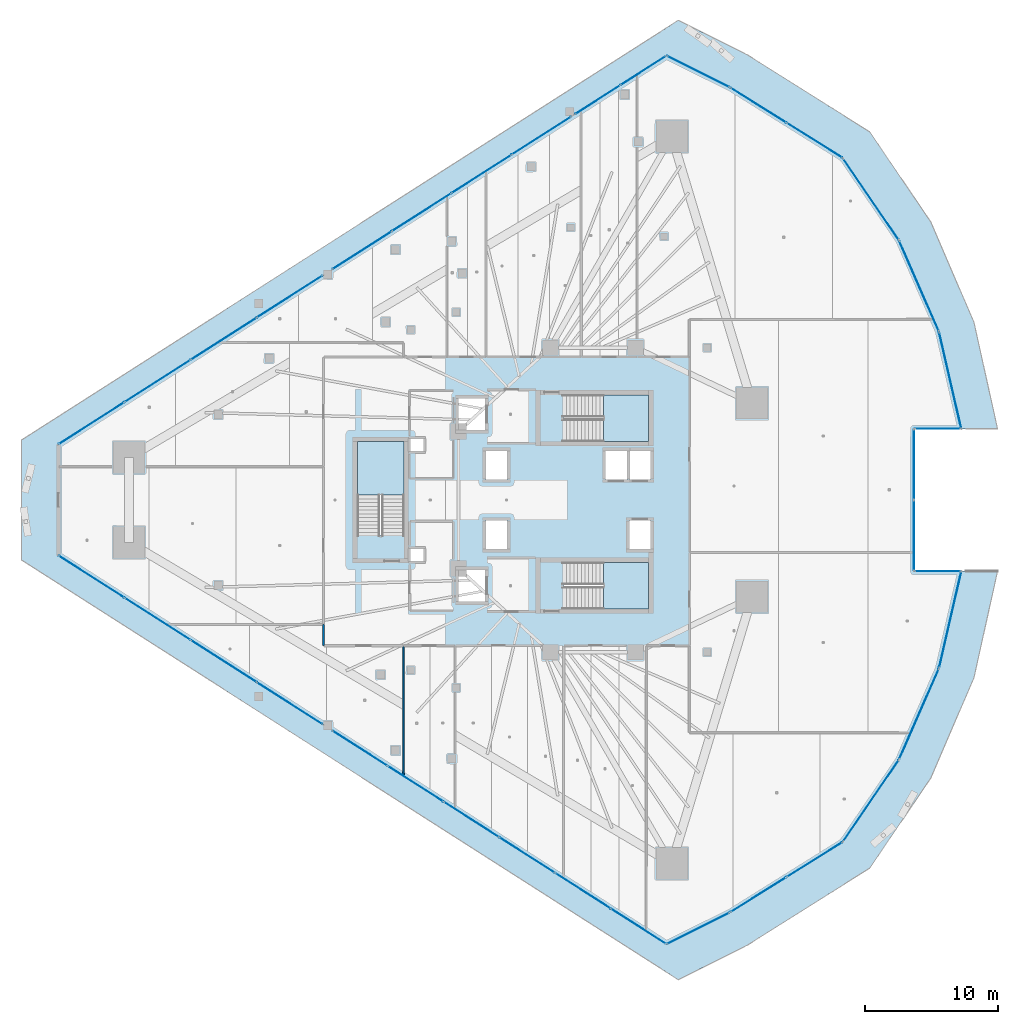
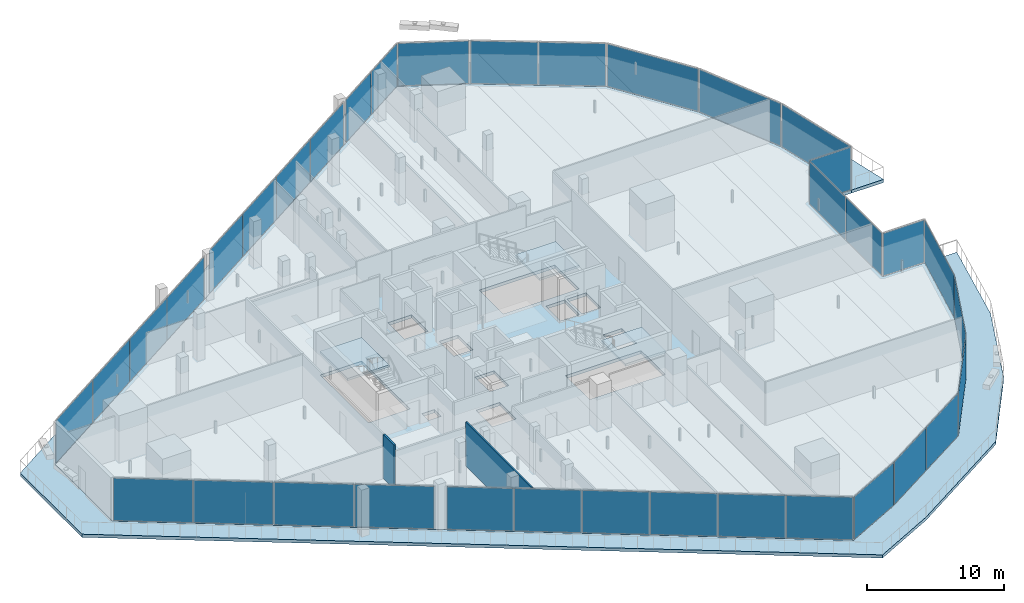
# One storey, part 27 of 44: 36 plates, 5 slabs, 2 walls, 21 elements without a shape of their own.
"""IFC4 building model written with IfcOpenShell, lengths in metres."""

from ifc_helpers import new_model, si_unit, direction, frame, frame_2d, origin, origin_2d, place, context, subcontext, project, spatial, polyline, rectangle, outline, extrude, material, layer, layer_set, type_object, element, aggregate, save


model = new_model("IFC4")

# Units and contexts
model_context = context("Model", 3, precision=1e-05, world=origin(), true_north=direction((0.0, 1.0)))
body_context = subcontext(model_context, "Body", "Model", "MODEL_VIEW")
ifc_project = project(units=[si_unit("LENGTHUNIT", "METRE"), si_unit("AREAUNIT", "SQUARE_METRE"), si_unit("VOLUMEUNIT", "CUBIC_METRE"), si_unit("PLANEANGLEUNIT", "RADIAN"), si_unit("MASSUNIT", "GRAM", prefix="KILO")], contexts=[model_context])

# Site, building, storey
site_placement = place(None, origin())
site = spatial("IfcSite", under=ifc_project, at=site_placement, CompositionType="ELEMENT")
building_placement = place(site_placement, origin())
building = spatial("IfcBuilding", under=site, at=building_placement, Name="Qorvath Tower", CompositionType="ELEMENT")
storey_placement = place(building_placement, frame((0.0, 0.0, 45.0)))
storey = spatial("IfcBuildingStorey", under=building, at=storey_placement, Name="L09", CompositionType="ELEMENT", Elevation=45.0)

# Curtain wall, plates
ifc_material_1 = material(Name="Anodised aluminium and triple low-E glass", Category="aluminium")
ifc_layer_1 = layer(ifc_material_1, 0.179931640625)
ifc_layer_set_1 = layer_set([ifc_layer_1], Name="CW-SYS-2")
curtain_wall_type = type_object("IfcCurtainWallType", Name="CW-SYS-2", PredefinedType="NOTDEFINED", material=ifc_layer_set_1)
curtain_wall_1_placement = place(storey_placement, origin())
curtain_wall_1 = element("IfcCurtainWall", 1, at=curtain_wall_1_placement, inside=storey, type_object=curtain_wall_type, Name="Curtain Wall CW-2 CW-T-L09-2.1", PredefinedType="NOTDEFINED")
ifc_material_2 = material(Name="Low-E triple insulated glass", Category="glass")
ifc_layer_2 = layer(ifc_material_2, 0.031982421875)
ifc_layer_set_2 = layer_set([ifc_layer_2], Name="CWP-GLZ-32")
plate_type = type_object("IfcPlateType", Name="CWP-GLZ-32", PredefinedType="CURTAIN_PANEL", material=ifc_layer_set_2)
plate_1_placement = place(storey_placement, frame((-58.10009765625, -5.7744140625, 0.06494140625), z_axis=(0.0, 0.0, 1.0), x_axis=(0.842605152044, -0.538531853978, 0.0)))
plate_1 = element("IfcPlate", 2, at=plate_1_placement, type_object=plate_type, Name="CW-2 panel 1.1", PredefinedType="CURTAIN_PANEL", context=body_context, shape_type="SweptSolid", body=[
    extrude(rectangle(XDim=5.806396484375, YDim=0.031982421875, at=origin_2d()), origin(), (0.0, 0.0, 1.0), 3.789794921875),
])
plate_2_placement = place(storey_placement, frame((-53.13916015625, -8.945068359375, 0.06494140625), z_axis=(0.0, 0.0, 1.0), x_axis=(0.842605152044, -0.538531853978, 0.0)))
plate_2 = element("IfcPlate", 3, at=plate_2_placement, type_object=plate_type, Name="CW-2 panel 2.1", PredefinedType="CURTAIN_PANEL", context=body_context, shape_type="SweptSolid", body=[
    extrude(rectangle(XDim=5.8388671875, YDim=0.031982421875, at=origin_2d()), origin(), (0.0, 0.0, 1.0), 3.789794921875),
])
plate_3_placement = place(storey_placement, frame((-48.164306640625, -12.12451171875, 0.06494140625), z_axis=(0.0, 0.0, 1.0), x_axis=(0.842605152044, -0.538531853978, 0.0)))
plate_3 = element("IfcPlate", 4, at=plate_3_placement, type_object=plate_type, Name="CW-2 panel 3.1", PredefinedType="CURTAIN_PANEL", context=body_context, shape_type="SweptSolid", body=[
    extrude(rectangle(XDim=5.8388671875, YDim=0.031982421875, at=origin_2d()), origin(), (0.0, 0.0, 1.0), 3.789794921875),
])
plate_4_placement = place(storey_placement, frame((-43.203369140625, -15.29541015625, 0.06494140625), z_axis=(0.0, 0.0, 1.0), x_axis=(0.842605152044, -0.538531853978, 0.0)))
plate_4 = element("IfcPlate", 5, at=plate_4_placement, type_object=plate_type, Name="CW-2 panel 4.1", PredefinedType="CURTAIN_PANEL", context=body_context, shape_type="SweptSolid", body=[
    extrude(rectangle(XDim=5.806396484375, YDim=0.031982421875, at=origin_2d()), origin(), (0.0, 0.0, 1.0), 3.789794921875),
])
aggregate(curtain_wall_1, [plate_1, plate_2, plate_3, plate_4])

curtain_wall_2_placement = place(storey_placement, origin())
curtain_wall_2 = element("IfcCurtainWall", 6, at=curtain_wall_2_placement, inside=storey, type_object=curtain_wall_type, Name="Curtain Wall CW-2 CW-T-L09-2.2", PredefinedType="NOTDEFINED")
plate_5_placement = place(storey_placement, frame((-37.916015625, -18.674560546875, 0.06494140625), z_axis=(0.0, 0.0, 1.0), x_axis=(0.842602136698, -0.538536571861, 0.0)))
plate_5 = element("IfcPlate", 7, at=plate_5_placement, type_object=plate_type, Name="CW-2 panel 1.1", PredefinedType="CURTAIN_PANEL", context=body_context, shape_type="SweptSolid", body=[
    extrude(rectangle(XDim=4.879638671875, YDim=0.031982421875, at=origin_2d()), origin(), (0.0, 0.0, 1.0), 3.789794921875),
])
plate_6_placement = place(storey_placement, frame((-33.73583984375, -21.34619140625, 0.06494140625), z_axis=(0.0, 0.0, 1.0), x_axis=(0.842602136698, -0.538536571861, 0.0)))
plate_6 = element("IfcPlate", 8, at=plate_6_placement, type_object=plate_type, Name="CW-2 panel 2.1", PredefinedType="CURTAIN_PANEL", context=body_context, shape_type="SweptSolid", body=[
    extrude(rectangle(XDim=4.912109375, YDim=0.031982421875, at=origin_2d()), origin(), (0.0, 0.0, 1.0), 3.789794921875),
])
plate_7_placement = place(storey_placement, frame((-29.542236328125, -24.026611328125, 0.06494140625), z_axis=(0.0, 0.0, 1.0), x_axis=(0.842602136698, -0.538536571861, 0.0)))
plate_7 = element("IfcPlate", 9, at=plate_7_placement, type_object=plate_type, Name="CW-2 panel 3.1", PredefinedType="CURTAIN_PANEL", context=body_context, shape_type="SweptSolid", body=[
    extrude(rectangle(XDim=4.912109375, YDim=0.031982421875, at=origin_2d()), origin(), (0.0, 0.0, 1.0), 3.789794921875),
])
plate_8_placement = place(storey_placement, frame((-25.348388671875, -26.70703125, 0.06494140625), z_axis=(0.0, 0.0, 1.0), x_axis=(0.842602136698, -0.538536571861, 0.0)))
plate_8 = element("IfcPlate", 10, at=plate_8_placement, type_object=plate_type, Name="CW-2 panel 4.1", PredefinedType="CURTAIN_PANEL", context=body_context, shape_type="SweptSolid", body=[
    extrude(rectangle(XDim=4.912109375, YDim=0.031982421875, at=origin_2d()), origin(), (0.0, 0.0, 1.0), 3.789794921875),
])
plate_9_placement = place(storey_placement, frame((-21.154541015625, -29.387451171875, 0.06494140625), z_axis=(0.0, 0.0, 1.0), x_axis=(0.842602136698, -0.538536571861, 0.0)))
plate_9 = element("IfcPlate", 11, at=plate_9_placement, type_object=plate_type, Name="CW-2 panel 5.1", PredefinedType="CURTAIN_PANEL", context=body_context, shape_type="SweptSolid", body=[
    extrude(rectangle(XDim=4.912109375, YDim=0.031982421875, at=origin_2d()), origin(), (0.0, 0.0, 1.0), 3.789794921875),
])
plate_10_placement = place(storey_placement, frame((-16.974609375, -32.05908203125, 0.06494140625), z_axis=(0.0, 0.0, 1.0), x_axis=(0.842602136698, -0.538536571861, 0.0)))
plate_10 = element("IfcPlate", 12, at=plate_10_placement, type_object=plate_type, Name="CW-2 panel 6.1", PredefinedType="CURTAIN_PANEL", context=body_context, shape_type="SweptSolid", body=[
    extrude(rectangle(XDim=4.879638671875, YDim=0.031982421875, at=origin_2d()), origin(), (0.0, 0.0, 1.0), 3.789794921875),
])
aggregate(curtain_wall_2, [plate_5, plate_6, plate_7, plate_8, plate_9, plate_10])

# Curtain wall, plate
curtain_wall_3_placement = place(storey_placement, origin())
curtain_wall_3 = element("IfcCurtainWall", 13, at=curtain_wall_3_placement, inside=storey, type_object=curtain_wall_type, Name="Curtain Wall CW-2 CW-T-L09-3.1", PredefinedType="NOTDEFINED")
plate_11_placement = place(storey_placement, frame((-12.477783203125, -32.21484375, 0.06494140625), z_axis=(0.0, 0.0, 1.0), x_axis=(0.89440470044, 0.447258573792, 0.0)))
plate_11 = element("IfcPlate", 14, at=plate_11_placement, type_object=plate_type, Name="CW-2 panel 1.1", PredefinedType="CURTAIN_PANEL", context=body_context, shape_type="SweptSolid", body=[
    extrude(rectangle(XDim=5.205810546875, YDim=0.031982421875, at=origin_2d()), origin(), (0.0, 0.0, 1.0), 3.789794921875),
])
aggregate(curtain_wall_3, [plate_11])

# Curtain wall, plates
curtain_wall_4_placement = place(storey_placement, origin())
curtain_wall_4 = element("IfcCurtainWall", 15, at=curtain_wall_4_placement, inside=storey, type_object=curtain_wall_type, Name="Curtain Wall CW-2 CW-T-L09-4.1", PredefinedType="NOTDEFINED")
plate_12_placement = place(storey_placement, frame((-7.9560546875, -29.687744140625, 0.06494140625), z_axis=(0.0, 0.0, 1.0), x_axis=(0.848170054125, 0.529724040691, 0.0)))
plate_12 = element("IfcPlate", 16, at=plate_12_placement, type_object=plate_type, Name="CW-2 panel 1.1", PredefinedType="CURTAIN_PANEL", context=body_context, shape_type="SweptSolid", body=[
    extrude(rectangle(XDim=4.90576171875, YDim=0.031982421875, at=origin_2d()), origin(), (0.0, 0.0, 1.0), 3.789794921875),
])
plate_13_placement = place(storey_placement, frame((-3.73974609375, -27.054443359375, 0.06494140625), z_axis=(0.0, 0.0, 1.0), x_axis=(0.848170054125, 0.529724040691, 0.0)))
plate_13 = element("IfcPlate", 17, at=plate_13_placement, type_object=plate_type, Name="CW-2 panel 2.1", PredefinedType="CURTAIN_PANEL", context=body_context, shape_type="SweptSolid", body=[
    extrude(rectangle(XDim=4.90576171875, YDim=0.031982421875, at=origin_2d()), origin(), (0.0, 0.0, 1.0), 3.789794921875),
])
aggregate(curtain_wall_4, [plate_12, plate_13])

# Curtain wall, plate
curtain_wall_5_placement = place(storey_placement, origin())
curtain_wall_5 = element("IfcCurtainWall", 18, at=curtain_wall_5_placement, inside=storey, type_object=curtain_wall_type, Name="Curtain Wall CW-2 CW-T-L09-5.1", PredefinedType="NOTDEFINED")
plate_14_placement = place(storey_placement, frame((0.509521484375, -22.625, 0.06494140625), z_axis=(0.0, 0.0, 1.0), x_axis=(0.563891314535, 0.825849008834, 0.0)))
plate_14 = element("IfcPlate", 19, at=plate_14_placement, type_object=plate_type, Name="CW-2 panel 1.1", PredefinedType="CURTAIN_PANEL", context=body_context, shape_type="SweptSolid", body=[
    extrude(rectangle(XDim=7.366943359375, YDim=0.031982421875, at=origin_2d()), origin(), (0.0, 0.0, 1.0), 3.789794921875),
])
aggregate(curtain_wall_5, [plate_14])

curtain_wall_6_placement = place(storey_placement, origin())
curtain_wall_6 = element("IfcCurtainWall", 20, at=curtain_wall_6_placement, inside=storey, type_object=curtain_wall_type, Name="Curtain Wall CW-2 CW-T-L09-6.1", PredefinedType="NOTDEFINED")
plate_15_placement = place(storey_placement, frame((4.127197265625, -16.095703125, 0.06494140625), z_axis=(0.0, 0.0, 1.0), x_axis=(0.401177069819, 0.916000523281, 0.0)))
plate_15 = element("IfcPlate", 21, at=plate_15_placement, type_object=plate_type, Name="CW-2 panel 1.1", PredefinedType="CURTAIN_PANEL", context=body_context, shape_type="SweptSolid", body=[
    extrude(rectangle(XDim=7.366943359375, YDim=0.031982421875, at=origin_2d()), origin(), (0.0, 0.0, 1.0), 3.789794921875),
])
aggregate(curtain_wall_6, [plate_15])

curtain_wall_7_placement = place(storey_placement, origin())
curtain_wall_7 = element("IfcCurtainWall", 22, at=curtain_wall_7_placement, inside=storey, type_object=curtain_wall_type, Name="Curtain Wall CW-2 CW-T-L09-7.1", PredefinedType="NOTDEFINED")
plate_16_placement = place(storey_placement, frame((6.47265625, -9.009521484375, 0.06494140625), z_axis=(0.0, 0.0, 1.0), x_axis=(0.224535087188, 0.974466004857, 0.0)))
plate_16 = element("IfcPlate", 23, at=plate_16_placement, type_object=plate_type, Name="CW-2 panel 1.1", PredefinedType="CURTAIN_PANEL", context=body_context, shape_type="SweptSolid", body=[
    extrude(rectangle(XDim=7.366943359375, YDim=0.031982421875, at=origin_2d()), origin(), (0.0, 0.0, 1.0), 3.789794921875),
])
aggregate(curtain_wall_7, [plate_16])

curtain_wall_8_placement = place(storey_placement, origin())
curtain_wall_8 = element("IfcCurtainWall", 24, at=curtain_wall_8_placement, inside=storey, type_object=curtain_wall_type, Name="Curtain Wall CW-2 CW-T-L09-8.1", PredefinedType="NOTDEFINED")
plate_17_placement = place(storey_placement, frame((5.528564453125, -5.356689453125, 0.06494140625), z_axis=(0.0, 0.0, 1.0), x_axis=(-1.0, 0.0, 0.0)))
plate_17 = element("IfcPlate", 25, at=plate_17_placement, type_object=plate_type, Name="CW-2 panel 1.1", PredefinedType="CURTAIN_PANEL", context=body_context, shape_type="SweptSolid", body=[
    extrude(rectangle(XDim=3.44140625, YDim=0.031982421875, at=origin_2d()), origin(), (0.0, 0.0, 1.0), 3.789794921875),
])
aggregate(curtain_wall_8, [plate_17])

# Curtain wall, plates
curtain_wall_9_placement = place(storey_placement, origin())
curtain_wall_9 = element("IfcCurtainWall", 26, at=curtain_wall_9_placement, inside=storey, type_object=curtain_wall_type, Name="Curtain Wall CW-2 CW-T-L09-9.1", PredefinedType="NOTDEFINED")
plate_18_placement = place(storey_placement, frame((3.742919921875, -2.662109375, 0.06494140625), z_axis=(0.0, 0.0, 1.0), x_axis=(0.0, 1.0, 0.0)))
plate_18 = element("IfcPlate", 27, at=plate_18_placement, type_object=plate_type, Name="CW-2 panel 1.1", PredefinedType="CURTAIN_PANEL", context=body_context, shape_type="SweptSolid", body=[
    extrude(rectangle(XDim=5.25927734375, YDim=0.031982421875, at=origin_2d()), origin(), (0.0, 0.0, 1.0), 3.789794921875),
])
plate_19_placement = place(storey_placement, frame((3.742919921875, 2.662109375, 0.06494140625), z_axis=(0.0, 0.0, 1.0), x_axis=(0.0, 1.0, 0.0)))
plate_19 = element("IfcPlate", 28, at=plate_19_placement, type_object=plate_type, Name="CW-2 panel 2.1", PredefinedType="CURTAIN_PANEL", context=body_context, shape_type="SweptSolid", body=[
    extrude(rectangle(XDim=5.25927734375, YDim=0.031982421875, at=origin_2d()), origin(), (0.0, 0.0, 1.0), 3.789794921875),
])
aggregate(curtain_wall_9, [plate_18, plate_19])

# Curtain wall, plate
curtain_wall_10_placement = place(storey_placement, origin())
curtain_wall_10 = element("IfcCurtainWall", 29, at=curtain_wall_10_placement, inside=storey, type_object=curtain_wall_type, Name="Curtain Wall CW-2 CW-T-L09-10.1", PredefinedType="NOTDEFINED")
plate_20_placement = place(storey_placement, frame((5.528564453125, 5.356689453125, 0.06494140625), z_axis=(0.0, 0.0, 1.0), x_axis=(1.0, 0.0, 0.0)))
plate_20 = element("IfcPlate", 30, at=plate_20_placement, type_object=plate_type, Name="CW-2 panel 1.1", PredefinedType="CURTAIN_PANEL", context=body_context, shape_type="SweptSolid", body=[
    extrude(rectangle(XDim=3.44140625, YDim=0.031982421875, at=origin_2d()), origin(), (0.0, 0.0, 1.0), 3.789794921875),
])
aggregate(curtain_wall_10, [plate_20])

curtain_wall_11_placement = place(storey_placement, origin())
curtain_wall_11 = element("IfcCurtainWall", 31, at=curtain_wall_11_placement, inside=storey, type_object=curtain_wall_type, Name="Curtain Wall CW-2 CW-T-L09-11.1", PredefinedType="NOTDEFINED")
plate_21_placement = place(storey_placement, frame((6.47265625, 9.009521484375, 0.06494140625), z_axis=(0.0, 0.0, 1.0), x_axis=(-0.224535087188, 0.974466004857, 0.0)))
plate_21 = element("IfcPlate", 32, at=plate_21_placement, type_object=plate_type, Name="CW-2 panel 1.1", PredefinedType="CURTAIN_PANEL", context=body_context, shape_type="SweptSolid", body=[
    extrude(rectangle(XDim=7.366943359375, YDim=0.031982421875, at=origin_2d()), origin(), (0.0, 0.0, 1.0), 3.789794921875),
])
aggregate(curtain_wall_11, [plate_21])

curtain_wall_12_placement = place(storey_placement, origin())
curtain_wall_12 = element("IfcCurtainWall", 33, at=curtain_wall_12_placement, inside=storey, type_object=curtain_wall_type, Name="Curtain Wall CW-2 CW-T-L09-12.1", PredefinedType="NOTDEFINED")
plate_22_placement = place(storey_placement, frame((4.127197265625, 16.095703125, 0.06494140625), z_axis=(0.0, 0.0, 1.0), x_axis=(-0.401177069819, 0.916000523281, 0.0)))
plate_22 = element("IfcPlate", 34, at=plate_22_placement, type_object=plate_type, Name="CW-2 panel 1.1", PredefinedType="CURTAIN_PANEL", context=body_context, shape_type="SweptSolid", body=[
    extrude(rectangle(XDim=7.366943359375, YDim=0.031982421875, at=origin_2d()), origin(), (0.0, 0.0, 1.0), 3.789794921875),
])
aggregate(curtain_wall_12, [plate_22])

curtain_wall_13_placement = place(storey_placement, origin())
curtain_wall_13 = element("IfcCurtainWall", 35, at=curtain_wall_13_placement, inside=storey, type_object=curtain_wall_type, Name="Curtain Wall CW-2 CW-T-L09-13.1", PredefinedType="NOTDEFINED")
plate_23_placement = place(storey_placement, frame((0.509521484375, 22.625, 0.06494140625), z_axis=(0.0, 0.0, 1.0), x_axis=(-0.563891314535, 0.825849008834, 0.0)))
plate_23 = element("IfcPlate", 36, at=plate_23_placement, type_object=plate_type, Name="CW-2 panel 1.1", PredefinedType="CURTAIN_PANEL", context=body_context, shape_type="SweptSolid", body=[
    extrude(rectangle(XDim=7.366943359375, YDim=0.031982421875, at=origin_2d()), origin(), (0.0, 0.0, 1.0), 3.789794921875),
])
aggregate(curtain_wall_13, [plate_23])

# Curtain wall, plates
curtain_wall_14_placement = place(storey_placement, origin())
curtain_wall_14 = element("IfcCurtainWall", 37, at=curtain_wall_14_placement, inside=storey, type_object=curtain_wall_type, Name="Curtain Wall CW-2 CW-T-L09-14.1", PredefinedType="NOTDEFINED")
plate_24_placement = place(storey_placement, frame((-3.73974609375, 27.054443359375, 0.06494140625), z_axis=(0.0, 0.0, 1.0), x_axis=(-0.848170054125, 0.529724040691, 0.0)))
plate_24 = element("IfcPlate", 38, at=plate_24_placement, type_object=plate_type, Name="CW-2 panel 1.1", PredefinedType="CURTAIN_PANEL", context=body_context, shape_type="SweptSolid", body=[
    extrude(rectangle(XDim=4.90576171875, YDim=0.031982421875, at=origin_2d()), origin(), (0.0, 0.0, 1.0), 3.789794921875),
])
plate_25_placement = place(storey_placement, frame((-7.9560546875, 29.687744140625, 0.06494140625), z_axis=(0.0, 0.0, 1.0), x_axis=(-0.848170054125, 0.529724040691, 0.0)))
plate_25 = element("IfcPlate", 39, at=plate_25_placement, type_object=plate_type, Name="CW-2 panel 2.1", PredefinedType="CURTAIN_PANEL", context=body_context, shape_type="SweptSolid", body=[
    extrude(rectangle(XDim=4.90576171875, YDim=0.031982421875, at=origin_2d()), origin(), (0.0, 0.0, 1.0), 3.789794921875),
])
aggregate(curtain_wall_14, [plate_24, plate_25])

# Curtain wall, plate
curtain_wall_15_placement = place(storey_placement, origin())
curtain_wall_15 = element("IfcCurtainWall", 40, at=curtain_wall_15_placement, inside=storey, type_object=curtain_wall_type, Name="Curtain Wall CW-2 CW-T-L09-15.1", PredefinedType="NOTDEFINED")
plate_26_placement = place(storey_placement, frame((-12.477783203125, 32.21484375, 0.06494140625), z_axis=(0.0, 0.0, 1.0), x_axis=(-0.89440470044, 0.447258573792, 0.0)))
plate_26 = element("IfcPlate", 41, at=plate_26_placement, type_object=plate_type, Name="CW-2 panel 1.1", PredefinedType="CURTAIN_PANEL", context=body_context, shape_type="SweptSolid", body=[
    extrude(rectangle(XDim=5.205810546875, YDim=0.031982421875, at=origin_2d()), origin(), (0.0, 0.0, 1.0), 3.789794921875),
])
aggregate(curtain_wall_15, [plate_26])

# Curtain wall, plates
curtain_wall_16_placement = place(storey_placement, origin())
curtain_wall_16 = element("IfcCurtainWall", 42, at=curtain_wall_16_placement, inside=storey, type_object=curtain_wall_type, Name="Curtain Wall CW-2 CW-T-L09-16.1", PredefinedType="NOTDEFINED")
plate_27_placement = place(storey_placement, frame((-16.60205078125, 32.297119140625, 0.06494140625), z_axis=(0.0, 0.0, 1.0), x_axis=(-0.842604485719, -0.538532896531, 0.0)))
plate_27 = element("IfcPlate", 43, at=plate_27_placement, type_object=plate_type, Name="CW-2 panel 1.1", PredefinedType="CURTAIN_PANEL", context=body_context, shape_type="SweptSolid", body=[
    extrude(rectangle(XDim=3.995361328125, YDim=0.031982421875, at=origin_2d()), origin(), (0.0, 0.0, 1.0), 3.789794921875),
])
plate_28_placement = place(storey_placement, frame((-20.023193359375, 30.110595703125, 0.06494140625), z_axis=(0.0, 0.0, 1.0), x_axis=(-0.842604485719, -0.538532896531, 0.0)))
plate_28 = element("IfcPlate", 44, at=plate_28_placement, type_object=plate_type, Name="CW-2 panel 2.1", PredefinedType="CURTAIN_PANEL", context=body_context, shape_type="SweptSolid", body=[
    extrude(rectangle(XDim=3.995361328125, YDim=0.031982421875, at=origin_2d()), origin(), (0.0, 0.0, 1.0), 3.789794921875),
])
aggregate(curtain_wall_16, [plate_27, plate_28])

curtain_wall_17_placement = place(storey_placement, origin())
curtain_wall_17 = element("IfcCurtainWall", 45, at=curtain_wall_17_placement, inside=storey, type_object=curtain_wall_type, Name="Curtain Wall CW-2 CW-T-L09-16.2", PredefinedType="NOTDEFINED")
plate_29_placement = place(storey_placement, frame((-24.282958984375, 27.38818359375, 0.06494140625), z_axis=(0.0, 0.0, 1.0), x_axis=(-0.842599245537, -0.538541095387, 0.0)))
plate_29 = element("IfcPlate", 46, at=plate_29_placement, type_object=plate_type, Name="CW-2 panel 1.1", PredefinedType="CURTAIN_PANEL", context=body_context, shape_type="SweptSolid", body=[
    extrude(rectangle(XDim=5.24560546875, YDim=0.031982421875, at=origin_2d()), origin(), (0.0, 0.0, 1.0), 3.789794921875),
])
plate_30_placement = place(storey_placement, frame((-28.771240234375, 24.51953125, 0.06494140625), z_axis=(0.0, 0.0, 1.0), x_axis=(-0.842599245537, -0.538541095387, 0.0)))
plate_30 = element("IfcPlate", 47, at=plate_30_placement, type_object=plate_type, Name="CW-2 panel 2.1", PredefinedType="CURTAIN_PANEL", context=body_context, shape_type="SweptSolid", body=[
    extrude(rectangle(XDim=5.278076171875, YDim=0.031982421875, at=origin_2d()), origin(), (0.0, 0.0, 1.0), 3.789794921875),
])
plate_31_placement = place(storey_placement, frame((-33.2734375, 21.641845703125, 0.06494140625), z_axis=(0.0, 0.0, 1.0), x_axis=(-0.842599245537, -0.538541095387, 0.0)))
plate_31 = element("IfcPlate", 48, at=plate_31_placement, type_object=plate_type, Name="CW-2 panel 3.1", PredefinedType="CURTAIN_PANEL", context=body_context, shape_type="SweptSolid", body=[
    extrude(rectangle(XDim=5.278076171875, YDim=0.031982421875, at=origin_2d()), origin(), (0.0, 0.0, 1.0), 3.789794921875),
])
plate_32_placement = place(storey_placement, frame((-37.761962890625, 18.773193359375, 0.06494140625), z_axis=(0.0, 0.0, 1.0), x_axis=(-0.842599245537, -0.538541095387, 0.0)))
plate_32 = element("IfcPlate", 49, at=plate_32_placement, type_object=plate_type, Name="CW-2 panel 4.1", PredefinedType="CURTAIN_PANEL", context=body_context, shape_type="SweptSolid", body=[
    extrude(rectangle(XDim=5.24560546875, YDim=0.031982421875, at=origin_2d()), origin(), (0.0, 0.0, 1.0), 3.789794921875),
])
aggregate(curtain_wall_17, [plate_29, plate_30, plate_31, plate_32])

curtain_wall_18_placement = place(storey_placement, origin())
curtain_wall_18 = element("IfcCurtainWall", 50, at=curtain_wall_18_placement, inside=storey, type_object=curtain_wall_type, Name="Curtain Wall CW-2 CW-T-L09-16.3", PredefinedType="NOTDEFINED")
plate_33_placement = place(storey_placement, frame((-43.203369140625, 15.29541015625, 0.06494140625), z_axis=(0.0, 0.0, 1.0), x_axis=(-0.842605152044, -0.538531853978, 0.0)))
plate_33 = element("IfcPlate", 51, at=plate_33_placement, type_object=plate_type, Name="CW-2 panel 1.1", PredefinedType="CURTAIN_PANEL", context=body_context, shape_type="SweptSolid", body=[
    extrude(rectangle(XDim=5.806396484375, YDim=0.031982421875, at=origin_2d()), origin(), (0.0, 0.0, 1.0), 3.789794921875),
])
plate_34_placement = place(storey_placement, frame((-48.164306640625, 12.12451171875, 0.06494140625), z_axis=(0.0, 0.0, 1.0), x_axis=(-0.842605152044, -0.538531853978, 0.0)))
plate_34 = element("IfcPlate", 52, at=plate_34_placement, type_object=plate_type, Name="CW-2 panel 2.1", PredefinedType="CURTAIN_PANEL", context=body_context, shape_type="SweptSolid", body=[
    extrude(rectangle(XDim=5.8388671875, YDim=0.031982421875, at=origin_2d()), origin(), (0.0, 0.0, 1.0), 3.789794921875),
])
plate_35_placement = place(storey_placement, frame((-53.13916015625, 8.945068359375, 0.06494140625), z_axis=(0.0, 0.0, 1.0), x_axis=(-0.842605152044, -0.538531853978, 0.0)))
plate_35 = element("IfcPlate", 53, at=plate_35_placement, type_object=plate_type, Name="CW-2 panel 3.1", PredefinedType="CURTAIN_PANEL", context=body_context, shape_type="SweptSolid", body=[
    extrude(rectangle(XDim=5.8388671875, YDim=0.031982421875, at=origin_2d()), origin(), (0.0, 0.0, 1.0), 3.789794921875),
])
plate_36_placement = place(storey_placement, frame((-58.10009765625, 5.7744140625, 0.06494140625), z_axis=(0.0, 0.0, 1.0), x_axis=(-0.842605152044, -0.538531853978, 0.0)))
plate_36 = element("IfcPlate", 54, at=plate_36_placement, type_object=plate_type, Name="CW-2 panel 4.1", PredefinedType="CURTAIN_PANEL", context=body_context, shape_type="SweptSolid", body=[
    extrude(rectangle(XDim=5.806396484375, YDim=0.031982421875, at=origin_2d()), origin(), (0.0, 0.0, 1.0), 3.789794921875),
])
aggregate(curtain_wall_18, [plate_33, plate_34, plate_35, plate_36])

# Stair, slab
ifc_material_3 = material(Name="Concrete C50/60", Category="concrete")
stair_type = type_object("IfcStairType", Name="ST-H420", PredefinedType="HALF_TURN_STAIR", material=ifc_material_3)
stair_1_placement = place(storey_placement, origin())
stair_1 = element("IfcStair", 55, at=stair_1_placement, inside=storey, type_object=stair_type, Name="L09 Tower Exit Stair 1", PredefinedType="HALF_TURN_STAIR")
ifc_material_4 = material(Name="Concrete C50/60", Category="concrete")
ifc_layer_3 = layer(ifc_material_4, 0.199951171875)
ifc_layer_set_3 = layer_set([ifc_layer_3], Name="SL-LND-200")
slab_type_1 = type_object("IfcSlabType", Name="SL-LND-200", PredefinedType="LANDING", material=ifc_layer_set_3)
slab_1_placement = place(storey_placement, frame((0.0, 0.0, 1.89990234375)))
slab_1 = element("IfcSlab", 56, at=slab_1_placement, type_object=slab_type_1, Name="TS1 landing 1", PredefinedType="LANDING", context=body_context, shape_type="SweptSolid", body=[
    extrude(outline(polyline([(-19.590087890625, 4.39990234375), (-16.199951171875, 4.39990234375), (-16.199951171875, 7.909912109375), (-19.590087890625, 7.909912109375), (-19.590087890625, 4.39990234375)])), origin(), (0.0, 0.0, 1.0), 0.2001953125),
])
aggregate(stair_1, [slab_1])

stair_2_placement = place(storey_placement, origin())
stair_2 = element("IfcStair", 57, at=stair_2_placement, inside=storey, type_object=stair_type, Name="L09 Tower Exit Stair 2", PredefinedType="HALF_TURN_STAIR")
slab_2_placement = place(storey_placement, frame((0.0, 0.0, 1.89990234375)))
slab_2 = element("IfcSlab", 58, at=slab_2_placement, type_object=slab_type_1, Name="TS2 landing 1", PredefinedType="LANDING", context=body_context, shape_type="SweptSolid", body=[
    extrude(outline(polyline([(-19.590087890625, -8.199951171875), (-16.199951171875, -8.199951171875), (-16.199951171875, -4.68994140625), (-19.590087890625, -4.68994140625), (-19.590087890625, -8.199951171875)])), origin(), (0.0, 0.0, 1.0), 0.2001953125),
])
aggregate(stair_2, [slab_2])

stair_3_placement = place(storey_placement, origin())
stair_3 = element("IfcStair", 59, at=stair_3_placement, inside=storey, type_object=stair_type, Name="L09 Tower Exit Stair 3", PredefinedType="HALF_TURN_STAIR")
slab_3_placement = place(storey_placement, frame((0.0, 0.0, 1.89990234375)))
slab_3 = element("IfcSlab", 60, at=slab_3_placement, type_object=slab_type_1, Name="TS3 landing 1", PredefinedType="LANDING", context=body_context, shape_type="SweptSolid", body=[
    extrude(outline(polyline([(-34.60009765625, 0.360107421875), (-34.60009765625, 4.39990234375), (-38.110107421875, 4.39990234375), (-38.110107421875, 0.360107421875), (-34.60009765625, 0.360107421875)])), origin(), (0.0, 0.0, 1.0), 0.2001953125),
])
aggregate(stair_3, [slab_3])

# Slabs
ifc_material_5 = material(Name="Precast concrete C45/55", Category="concrete")
ifc_layer_4 = layer(ifc_material_5, 0.280029296875)
ifc_layer_set_4 = layer_set([ifc_layer_4], Name="SL-LOG-280")
slab_type_2 = type_object("IfcSlabType", Name="SL-LOG-280", PredefinedType="FLOOR", material=ifc_layer_set_4)
slab_4_placement = place(storey_placement, frame((0.0, 0.0, -0.280029296875)))
element("IfcSlab", 61, at=slab_4_placement, inside=storey, type_object=slab_type_2, Name="Tower L09 Perimeter Loggia and Terrace Slab", PredefinedType="FLOOR", context=body_context, shape_type="SweptSolid", body=[
    extrude(outline(polyline([(7.314208984375, -5.356689453125), (5.630859375, -12.662109375), (2.623291015625, -19.529296875), (-1.604248046875, -25.720703125), (-10.091552734375, -31.021484375), (-14.864013671875, -33.407958984375), (-60.60107421875, -4.176025390625), (-60.60107421875, 4.176025390625), (-14.864013671875, 33.407958984375), (-10.091552734375, 31.021484375), (-1.604248046875, 25.720703125), (2.623291015625, 19.529296875), (5.630859375, 12.662109375), (7.314208984375, 5.356689453125), (10.030029296875, 5.356689453125), (8.257568359375, 13.365966796875), (5.013427734375, 20.900146484375), (0.4130859375, 27.691650390625), (-8.82080078125, 33.499267578125), (-13.974609375, 36.076171875), (-63.364501953125, 4.509521484375), (-63.364501953125, -4.509521484375), (-13.974609375, -36.076171875), (-8.82080078125, -33.499267578125), (0.4130859375, -27.691650390625), (5.013427734375, -20.900146484375), (8.257568359375, -13.365966796875), (10.030029296875, -5.356689453125), (7.314208984375, -5.356689453125)])), origin(), (0.0, 0.0, 1.0), 0.280029296875),
])
ifc_material_6 = material(Name="Concrete C45/55", Category="concrete")
ifc_layer_5 = layer(ifc_material_6, 0.280029296875)
ifc_layer_set_5 = layer_set([ifc_layer_5], Name="SL-TYP-280")
slab_type_3 = type_object("IfcSlabType", Name="SL-TYP-280", PredefinedType="FLOOR", material=ifc_layer_set_5)
slab_5_placement = place(storey_placement, frame((0.0, 0.0, -0.280029296875)))
element("IfcSlab", 62, at=slab_5_placement, inside=storey, type_object=slab_type_3, Name="Tower L09 Interior Floor Slab", PredefinedType="FLOOR", context=body_context, shape_type="SweptSolid", body=[
    extrude(outline(polyline([(-60.60107421875, 4.176025390625), (-60.60107421875, -4.176025390625), (-14.864013671875, -33.407958984375), (-10.091552734375, -31.021484375), (-1.604248046875, -25.720703125), (2.623291015625, -19.529296875), (5.630859375, -12.662109375), (7.314208984375, -5.356689453125), (3.742919921875, -5.356689453125), (3.742919921875, 5.356689453125), (7.314208984375, 5.356689453125), (5.630859375, 12.662109375), (2.623291015625, 19.529296875), (-1.604248046875, 25.720703125), (-10.091552734375, 31.021484375), (-14.864013671875, 33.407958984375), (-60.60107421875, 4.176025390625)]), holes=[polyline([(-17.64990234375, -3.699951171875), (-17.64990234375, -1.550048828125), (-16.050048828125, -1.550048828125), (-16.050048828125, -3.699951171875), (-17.64990234375, -3.699951171875)]), polyline([(-17.64990234375, 1.550048828125), (-17.64990234375, 3.699951171875), (-16.050048828125, 3.699951171875), (-16.050048828125, 1.550048828125), (-17.64990234375, 1.550048828125)]), polyline([(-16.2451171875, -8.199951171875), (-22.625, -8.199951171875), (-22.625, -4.68994140625), (-16.2451171875, -4.68994140625), (-16.2451171875, -8.199951171875)]), polyline([(-22.625, 4.39990234375), (-22.625, 7.909912109375), (-16.2451171875, 7.909912109375), (-16.2451171875, 4.39990234375), (-22.625, 4.39990234375)]), polyline([(-17.85009765625, 1.550048828125), (-19.449951171875, 1.550048828125), (-19.449951171875, 3.699951171875), (-17.85009765625, 3.699951171875), (-17.85009765625, 1.550048828125)]), polyline([(-28.449951171875, -3.699951171875), (-28.449951171875, -1.550048828125), (-26.85009765625, -1.550048828125), (-26.85009765625, -3.699951171875), (-28.449951171875, -3.699951171875)]), polyline([(-26.85009765625, 1.550048828125), (-28.449951171875, 1.550048828125), (-28.449951171875, 3.699951171875), (-26.85009765625, 3.699951171875), (-26.85009765625, 1.550048828125)]), polyline([(-28.5, -7.64990234375), (-30.5, -7.64990234375), (-30.5, -5.25), (-28.5, -5.25), (-28.5, -7.64990234375)]), polyline([(-30.5, 5.25), (-30.5, 7.64990234375), (-28.5, 7.64990234375), (-28.5, 5.25), (-30.5, 5.25)]), polyline([(-34.14990234375, -4.6201171875), (-34.14990234375, -3.64990234375), (-33.10009765625, -3.64990234375), (-33.10009765625, -4.6201171875), (-34.14990234375, -4.6201171875)]), polyline([(-34.14990234375, 3.64990234375), (-34.14990234375, 4.6201171875), (-33.10009765625, 4.6201171875), (-33.10009765625, 3.64990234375), (-34.14990234375, 3.64990234375)]), polyline([(-34.60009765625, -2.675048828125), (-38.110107421875, -2.675048828125), (-38.110107421875, 4.35498046875), (-34.60009765625, 4.35498046875), (-34.60009765625, -2.675048828125)])]), origin(), (0.0, 0.0, 1.0), 0.280029296875),
])

# Walls
ifc_material_7 = material(Name="Double acoustic gypsum board on steel studs", Category="steel")
ifc_layer_6 = layer(ifc_material_7, 0.159912109375)
ifc_layer_set_6 = layer_set([ifc_layer_6], Name="IW-ACOUSTIC-160")
wall_type_1 = type_object("IfcWallType", Name="IW-ACOUSTIC-160", PredefinedType="PARTITIONING", material=ifc_layer_set_6)
wall_1_placement = place(storey_placement, frame((-40.657958984375, -10.93310546875, 0.0), z_axis=(0.0, 0.0, 1.0), x_axis=(0.0, 1.0, 0.0)))
element("IfcWall", 63, at=wall_1_placement, inside=storey, type_object=wall_type_1, Name="Interior Partition IW-T1-L09-048", PredefinedType="PARTITIONING", context=body_context, shape_type="SweptSolid", body=[
    extrude(rectangle(XDim=1.55859375, YDim=0.159912109375, at=frame_2d((0.779296875, 0.0))), origin(), (0.0, 0.0, 1.0), 3.919921875),
])
ifc_material_8 = material(Name="Gypsum board on metal studs with mineral wool", Category="gypsum")
ifc_layer_7 = layer(ifc_material_8, 0.125)
ifc_layer_set_7 = layer_set([ifc_layer_7], Name="IW-PART-125")
wall_type_2 = type_object("IfcWallType", Name="IW-PART-125", PredefinedType="PARTITIONING", material=ifc_layer_set_7)
wall_2_placement = place(storey_placement, frame((-34.64990234375, -10.98291015625, 0.0), z_axis=(0.0, 0.0, 1.0), x_axis=(0.0, -1.0, 0.0)))
element("IfcWall", 64, at=wall_2_placement, inside=storey, type_object=wall_type_2, Name="Interior Partition IW-T1-L09-033", PredefinedType="PARTITIONING", context=body_context, shape_type="SweptSolid", body=[
    extrude(rectangle(XDim=9.69921875, YDim=0.125, at=frame_2d((4.849609375, 0.0))), origin(), (0.0, 0.0, 1.0), 3.919921875),
])

save(model, "model.ifc")
